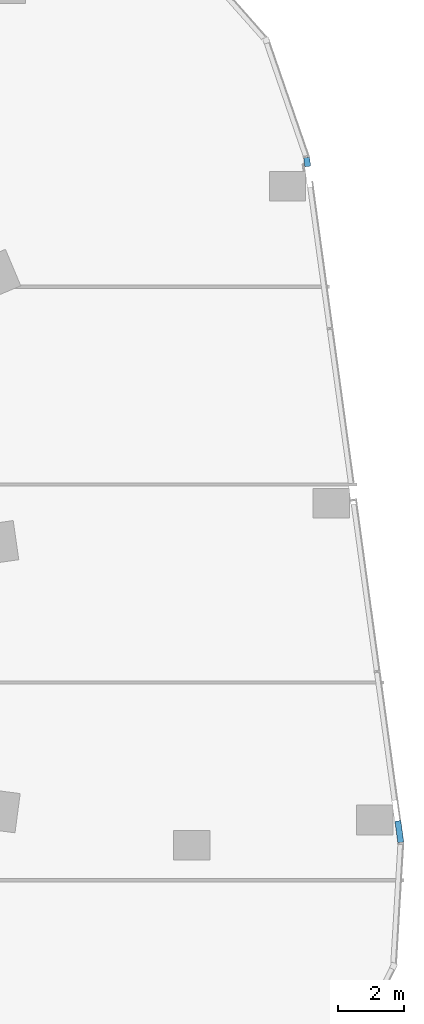
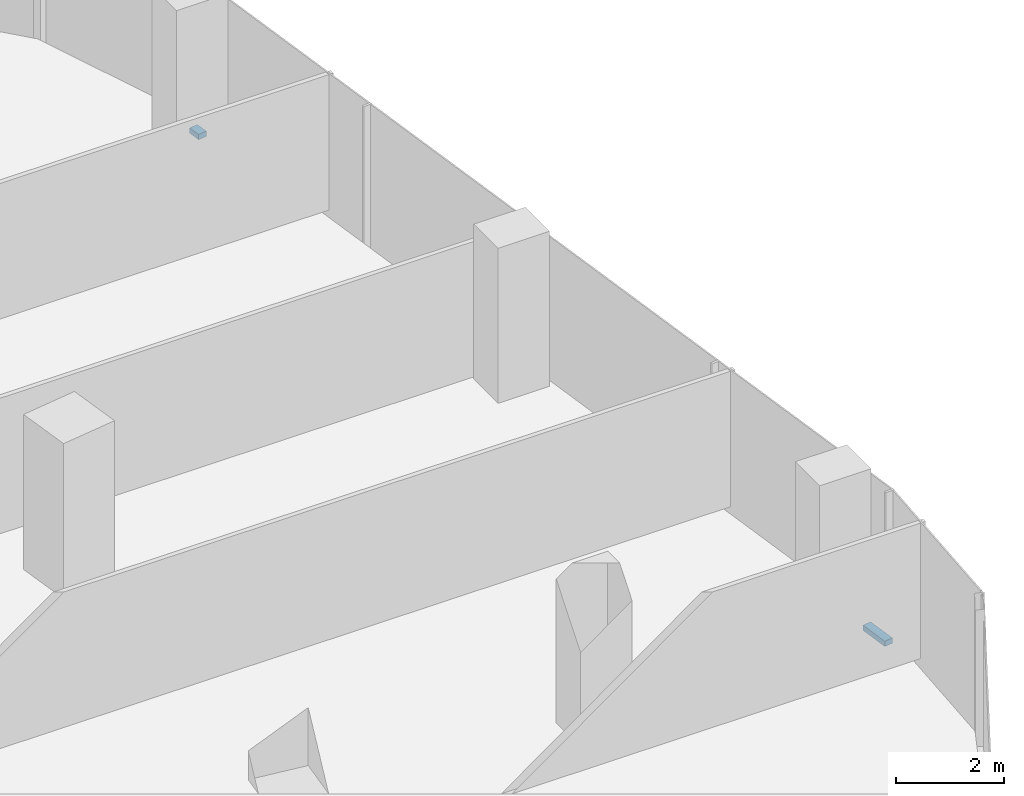
# One storey, part 12 of 27: 2 members, 1 element without a shape of its own.
"""IFC4 building model written with IfcOpenShell, lengths in metres."""

from ifc_helpers import new_model, si_unit, direction, frame, origin, origin_2d, place, context, subcontext, project, spatial, rectangle, extrude, material, material_profile, profile_set, type_object, element, aggregate, save


model = new_model("IFC4")

# Units and contexts
model_context = context("Model", 3, precision=1e-05, world=origin(), true_north=direction((0.0, 1.0)))
body_context = subcontext(model_context, "Body", "Model", "MODEL_VIEW")
ifc_project = project(units=[si_unit("LENGTHUNIT", "METRE"), si_unit("AREAUNIT", "SQUARE_METRE"), si_unit("VOLUMEUNIT", "CUBIC_METRE"), si_unit("PLANEANGLEUNIT", "RADIAN"), si_unit("MASSUNIT", "GRAM", prefix="KILO")], contexts=[model_context])

# Site, building, storey
site_placement = place(None, origin())
site = spatial("IfcSite", under=ifc_project, at=site_placement, CompositionType="ELEMENT")
building_placement = place(site_placement, origin())
building = spatial("IfcBuilding", under=site, at=building_placement, Name="Orlundy Tower", CompositionType="ELEMENT")
storey_placement = place(building_placement, frame((0.0, 0.0, 192.10009765625)))
storey = spatial("IfcBuildingStorey", under=building, at=storey_placement, Name="L50", CompositionType="ELEMENT", Elevation=192.10009765625)

# Curtain wall, members
ifc_material_1 = material(Name="Aluminium bronze anodised", Category="aluminium")
curtain_wall_type = type_object("IfcCurtainWallType", Name="CW1 wall", PredefinedType="NOTDEFINED", material=ifc_material_1)
curtain_wall_placement = place(storey_placement, origin())
curtain_wall = element("IfcCurtainWall", 1, at=curtain_wall_placement, inside=storey, type_object=curtain_wall_type, Name="CW1 run 011", PredefinedType="NOTDEFINED")
ifc_material_2 = material(Name="Aluminium bronze anodised", Category="aluminium")
ifc_material_profile = material_profile(ifc_material_2, rectangle(XDim=0.179931640625, YDim=0.1201171875, at=origin_2d()), Name="CW1 transom 180x120")
ifc_profile_set = profile_set([ifc_material_profile], Name="Aluminium bronze anodised")
member_type = type_object("IfcMemberType", Name="CW1 transom 180x120", PredefinedType="USERDEFINED", material=ifc_profile_set)
member_1_placement = place(storey_placement, frame((38.782470703125, 15.918212890625, -0.360107421875), z_axis=(0.136031690974, -0.990704486237, 0.0), x_axis=(0.990704486237, 0.136031690974, 0.0)))
member_1 = element("IfcMember", 2, at=member_1_placement, type_object=member_type, Name="CW1 transom", ObjectType="TRANSOM", PredefinedType="USERDEFINED", context=body_context, shape_type="SweptSolid", body=[
    extrude(rectangle(XDim=0.179931640625, YDim=0.1201171875, at=origin_2d()), origin(), (0.0, 0.0, 1.0), 0.272705078125),
])
member_2_placement = place(storey_placement, frame((41.550048828125, -4.19970703125, -0.360107421875), z_axis=(0.136136648768, -0.990690069024, 0.0), x_axis=(0.990690069024, 0.136136648768, 0.0)))
member_2 = element("IfcMember", 3, at=member_2_placement, type_object=member_type, Name="CW1 transom", ObjectType="TRANSOM", PredefinedType="USERDEFINED", context=body_context, shape_type="SweptSolid", body=[
    extrude(rectangle(XDim=0.179931640625, YDim=0.1201171875, at=origin_2d()), origin(), (0.0, 0.0, 1.0), 0.659912109375),
])
aggregate(curtain_wall, [member_1, member_2])

save(model, "model.ifc")
